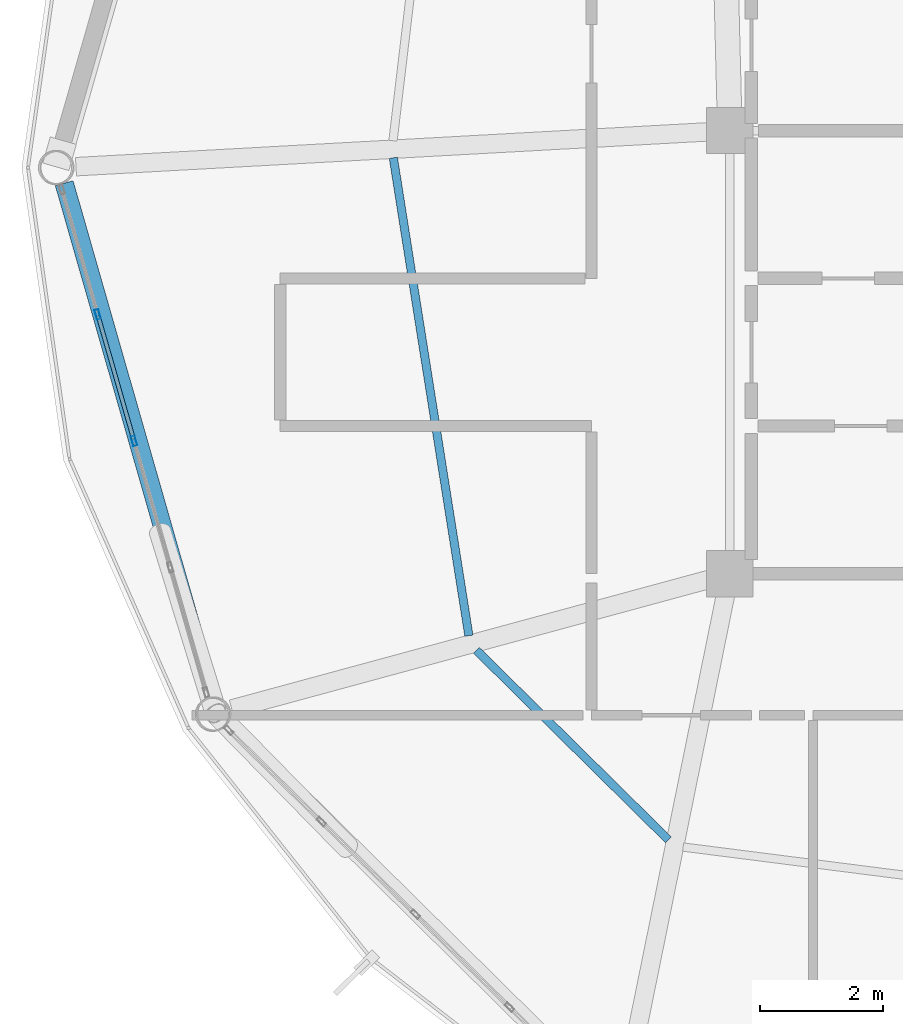
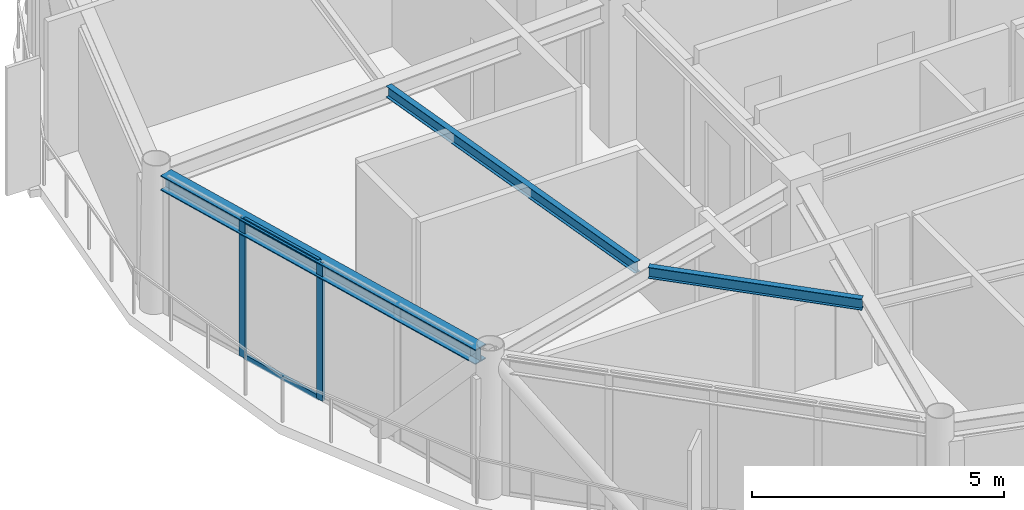
# One storey, part 5 of 26: 4 members, 3 beams, 1 element without a shape of its own.
"""IFC4 building model written with IfcOpenShell, lengths in metres."""

import ifcopenshell
import ifcopenshell.guid

model = None  # the IFC model being written
_history = None  # IfcOwnerHistory: only IFC2X3 demands one
_inside = {}  # id of a spatial element -> (the spatial element, [elements in it])
_under = {}  # id of a project, library or spatial element -> (it, [spatial elements below it])
_declared = {}  # id of a project -> (the project, [libraries it declares])
_typed = {}  # id of a type object -> (the type object, [elements of that type])
_made_of = {}  # id of a material, layer set ... -> (it, [elements and type objects made of it])


def new_model(schema):
    """Start an empty IFC model of exactly this schema.

    Asked for "IFC4X3", IfcOpenShell would pick the latest addendum, in which some entities
    have other attributes; the version numbers below select the first issue.
    IFC2X3 requires an IfcOwnerHistory on every rooted entity: one is made here for all.
    """
    global model, _history
    if schema == "IFC4X3":
        model = ifcopenshell.file(schema_version=(4, 3, 0, 0))
    else:
        model = ifcopenshell.file(schema=schema)
    _inside.clear()
    _under.clear()
    _declared.clear()
    _typed.clear()
    _made_of.clear()
    _history = None
    if model.schema == "IFC2X3":
        org = make("IfcOrganization", Name="unknown")
        user = make(
            "IfcPersonAndOrganization",
            ThePerson=make("IfcPerson", FamilyName="unknown"),
            TheOrganization=org,
        )
        app = make(
            "IfcApplication",
            ApplicationDeveloper=org,
            Version="unknown",
            ApplicationFullName="unknown",
            ApplicationIdentifier="unknown",
        )
        _history = make(
            "IfcOwnerHistory",
            OwningUser=user,
            OwningApplication=app,
            ChangeAction="ADDED",
            CreationDate=0,
        )
    return model


def make(cls, **values):
    """One entity of the class cls with the attributes given. An attribute that is None is left unset."""
    return model.create_entity(
        cls, **{name: value for name, value in values.items() if value is not None}
    )


def rooted(cls, **values):
    """An entity with a GlobalId (a new one), such as an element, a storey or a relation."""
    return make(cls, GlobalId=ifcopenshell.guid.new(), OwnerHistory=_history, **values)


def si_unit(unit_type, name, prefix=None):
    """IfcSIUnit, for example si_unit("LENGTHUNIT", "METRE", prefix="MILLI")."""
    return make("IfcSIUnit", UnitType=unit_type, Prefix=prefix, Name=name)


def assignment(units):
    """IfcUnitAssignment: the units of a project."""
    return None if units is None else make("IfcUnitAssignment", Units=units)


def point(xyz):
    """IfcCartesianPoint."""
    return None if xyz is None else make("IfcCartesianPoint", Coordinates=xyz)


def direction(xyz):
    """IfcDirection."""
    return None if xyz is None else make("IfcDirection", DirectionRatios=xyz)


def frame(location, z_axis=None, x_axis=None):
    """IfcAxis2Placement3D, a coordinate frame: its origin and axes. An axis left out is left unset."""
    return make(
        "IfcAxis2Placement3D",
        Location=point(location),
        Axis=direction(z_axis),
        RefDirection=direction(x_axis),
    )


def frame_2d(location, x_axis=None):
    """IfcAxis2Placement2D, a coordinate frame in the plane: its origin and x axis."""
    return make(
        "IfcAxis2Placement2D", Location=point(location), RefDirection=direction(x_axis)
    )


def origin():
    """The frame at (0, 0, 0) with its axes left unset."""
    return frame((0.0, 0.0, 0.0))


def origin_2d():
    """The frame at (0, 0) in the plane with its x axis left unset."""
    return frame_2d((0.0, 0.0))


def place(relative_to, where):
    """IfcLocalPlacement: puts the frame where relative to a parent placement (None: the world)."""
    return make(
        "IfcLocalPlacement", PlacementRelTo=relative_to, RelativePlacement=where
    )


def context(
    kind, dimensions, precision=None, world=None, true_north=None, identifier=None
):
    """IfcGeometricRepresentationContext, for example the 3D "Model" context."""
    return make(
        "IfcGeometricRepresentationContext",
        ContextIdentifier=identifier,
        ContextType=kind,
        CoordinateSpaceDimension=dimensions,
        Precision=precision,
        WorldCoordinateSystem=world,
        TrueNorth=true_north,
    )


def subcontext(parent, identifier, kind, view, scale=None):
    """IfcGeometricRepresentationSubContext, for example "Body" below "Model"."""
    return make(
        "IfcGeometricRepresentationSubContext",
        ContextIdentifier=identifier,
        ContextType=kind,
        ParentContext=parent,
        TargetScale=scale,
        TargetView=view,
    )


def project(units=None, contexts=None):
    """IfcProject with its units and contexts."""
    return rooted(
        "IfcProject",
        Name="project",
        RepresentationContexts=contexts,
        UnitsInContext=assignment(units),
    )


def spatial(cls, under=None, at=None, **own):
    """A site, building, storey or space (cls), placed at a placement, below another one or the project."""
    s = rooted(cls, ObjectPlacement=at, **own)
    if under is not None:
        _under.setdefault(under.id(), (under, []))[1].append(s)
    return s


def profile(cls, at=None, kind="AREA", **sizes):
    """A parametric profile (cls). Its sizes go by their IFC names, for example OverallWidth=200.0."""
    return make(cls, ProfileType=kind, Position=at, **sizes)


def hollow_rectangle(**sizes):
    """IfcRectangleHollowProfileDef."""
    return profile("IfcRectangleHollowProfileDef", **sizes)


def i_section(**sizes):
    """IfcIShapeProfileDef."""
    return profile("IfcIShapeProfileDef", **sizes)


def extrude(swept, where, along, depth):
    """IfcExtrudedAreaSolid: the profile swept, set in the frame where, extruded along a direction by depth."""
    return make(
        "IfcExtrudedAreaSolid",
        SweptArea=swept,
        Position=where,
        ExtrudedDirection=direction(along),
        Depth=depth,
    )


def shape(context_of_items, identifier, shape_type, items):
    """IfcShapeRepresentation: the items that make up one representation, for example the "Body"."""
    return make(
        "IfcShapeRepresentation",
        ContextOfItems=context_of_items,
        RepresentationIdentifier=identifier,
        RepresentationType=shape_type,
        Items=items,
    )


def material(Name=None, Category=None):
    """IfcMaterial."""
    return make("IfcMaterial", Name=Name, Category=Category)


def layer(
    of_material, thickness, ventilated=None, Name=None, Category=None, Priority=None
):
    """IfcMaterialLayer: one layer of a wall or slab, of a material (None: an air gap)."""
    return make(
        "IfcMaterialLayer",
        Material=of_material,
        LayerThickness=thickness,
        IsVentilated=ventilated,
        Name=Name,
        Category=Category,
        Priority=Priority,
    )


def layer_set(layers, Name=None):
    """IfcMaterialLayerSet."""
    return make("IfcMaterialLayerSet", MaterialLayers=layers, LayerSetName=Name)


def material_profile(
    of_material, cross_section, Name=None, Category=None, Priority=None
):
    """IfcMaterialProfile: a cross section and its material."""
    return make(
        "IfcMaterialProfile",
        Name=Name,
        Material=of_material,
        Profile=cross_section,
        Priority=Priority,
        Category=Category,
    )


def profile_set(profiles, Name=None, composite=None):
    """IfcMaterialProfileSet."""
    return make(
        "IfcMaterialProfileSet",
        Name=Name,
        MaterialProfiles=profiles,
        CompositeProfile=composite,
    )


def made_of(thing, what):
    """Note that an element or type object is made of a material, layer set ...; save() writes the relation."""
    if what is not None:
        _made_of.setdefault(what.id(), (what, []))[1].append(thing)
    return thing


def type_object(cls, material=None, **own):
    """A type object (cls), such as IfcWallType, which elements share."""
    return made_of(rooted(cls, **own), material)


def element(
    cls,
    number,
    at=None,
    inside=None,
    cuts=None,
    type_object=None,
    material=None,
    context=None,
    identifier="Body",
    shape_type=None,
    held_by="IfcProductDefinitionShape",
    body=None,
    shapes=None,
    **own,
):
    """One element of the class cls, such as IfcWall. Its Tag is "e" and its number.

    at: its placement. inside: the storey or other place that contains it. cuts: it is an
    opening in that element (IfcRelVoidsElement). A single representation is given by context,
    identifier, shape_type and body (its items); several are given by shapes. held_by: the class
    of the entity that holds the representations. save() writes the other relations.
    """
    e = rooted(cls, Tag="e%d" % number, ObjectPlacement=at, **own)
    if body is not None:
        shapes = [shape(context, identifier, shape_type, body)]
    if shapes is not None:
        e.Representation = make(held_by, Representations=shapes)
    if inside is not None:
        _inside.setdefault(inside.id(), (inside, []))[1].append(e)
    if cuts is not None:
        rooted(
            "IfcRelVoidsElement", RelatingBuildingElement=cuts, RelatedOpeningElement=e
        )
    if type_object is not None:
        _typed.setdefault(type_object.id(), (type_object, []))[1].append(e)
    return made_of(e, material)


def aggregate(whole, parts):
    """IfcRelAggregates: a whole, such as a stair, and the parts it consists of."""
    return rooted("IfcRelAggregates", RelatingObject=whole, RelatedObjects=parts)


def save(model, path):
    """Write the relations noted so far, then the file.

    IfcRelAggregates (storeys below a building ...), IfcRelContainedInSpatialStructure (elements
    in a storey), IfcRelDefinesByType, IfcRelAssociatesMaterial and IfcRelDeclares: one each for
    every whole, place, type object, material and project.
    """
    for whole, parts in _under.values():
        aggregate(whole, parts)
    for where, things in _inside.values():
        rooted(
            "IfcRelContainedInSpatialStructure",
            RelatedElements=things,
            RelatingStructure=where,
        )
    for kind, things in _typed.values():
        rooted("IfcRelDefinesByType", RelatedObjects=things, RelatingType=kind)
    for what, things in _made_of.values():
        rooted("IfcRelAssociatesMaterial", RelatedObjects=things, RelatingMaterial=what)
    for by, libraries in _declared.values():
        rooted("IfcRelDeclares", RelatingContext=by, RelatedDefinitions=libraries)
    model.write(path)


model = new_model("IFC4")

# Units and contexts
model_context = context("Model", 3, precision=1e-05, world=origin(), true_north=direction((0.0, 1.0)))
body_context = subcontext(model_context, "Body", "Model", "MODEL_VIEW")
ifc_project = project(units=[si_unit("LENGTHUNIT", "METRE"), si_unit("AREAUNIT", "SQUARE_METRE"), si_unit("VOLUMEUNIT", "CUBIC_METRE"), si_unit("PLANEANGLEUNIT", "RADIAN"), si_unit("MASSUNIT", "GRAM", prefix="KILO")], contexts=[model_context])

# Site, building, storey
site_placement = place(None, origin())
site = spatial("IfcSite", under=ifc_project, at=site_placement, CompositionType="ELEMENT")
building_placement = place(site_placement, origin())
building = spatial("IfcBuilding", under=site, at=building_placement, Name="Varnakorn Sky Granary", CompositionType="ELEMENT")
storey_placement = place(building_placement, frame((0.0, 0.0, 267.0)))
storey = spatial("IfcBuildingStorey", under=building, at=storey_placement, Name="L68", CompositionType="ELEMENT", Elevation=267.0)

# Beams
ifc_material_1 = material(Name="Steel S355JR", Category="steel")
ifc_material_profile_1 = material_profile(ifc_material_1, i_section(OverallWidth=0.135009765625, OverallDepth=0.27001953125, WebThickness=0.006591796875, FlangeThickness=0.01025390625, at=origin_2d()), Name="IPE 270")
ifc_profile_set_1 = profile_set([ifc_material_profile_1], Name="Steel S355JR")
beam_type_1 = type_object("IfcBeamType", Name="BM-SEC-Z5", PredefinedType="BEAM", material=ifc_profile_set_1)
beam_1_placement = place(storey_placement, frame((-7.81787109375, 0.1591796875, 3.22509765625), z_axis=(0.15618100992, -0.987728450608, 0.0), x_axis=(0.987728450608, 0.15618100992, 0.0)))
element("IfcBeam", 1, at=beam_1_placement, inside=storey, type_object=beam_type_1, Name="Secondary Floor Chord Beam MSB07 L68", PredefinedType="BEAM", context=body_context, shape_type="SweptSolid", body=[
    extrude(i_section(OverallWidth=0.135009765625, OverallDepth=0.27001953125, WebThickness=0.006591796875, FlangeThickness=0.01025390625, at=origin_2d()), origin(), (0.0, 0.0, 1.0), 7.86279296875),
])
beam_2_placement = place(storey_placement, frame((-6.46826171875, -7.84375, 3.22509765625), z_axis=(0.711628973356, -0.702555481283, 0.0), x_axis=(0.702555481283, 0.711628973356, 0.0)))
element("IfcBeam", 2, at=beam_2_placement, inside=storey, type_object=beam_type_1, Name="Secondary Floor Chord Beam MSB08 L68", PredefinedType="BEAM", context=body_context, shape_type="SweptSolid", body=[
    extrude(i_section(OverallWidth=0.135009765625, OverallDepth=0.27001953125, WebThickness=0.006591796875, FlangeThickness=0.01025390625, at=origin_2d()), origin(), (0.0, 0.0, 1.0), 4.3857421875),
])
ifc_material_profile_2 = material_profile(ifc_material_1, i_section(OverallWidth=0.300048828125, OverallDepth=0.360107421875, WebThickness=0.012451171875, FlangeThickness=0.0224609375, at=origin_2d()), Name="HE 360 B")
ifc_profile_set_2 = profile_set([ifc_material_profile_2], Name="Steel S355JR")
beam_type_2 = type_object("IfcBeamType", Name="BM-SPD-Z5", PredefinedType="SPANDREL", material=ifc_profile_set_2)
beam_3_placement = place(storey_placement, frame((-13.166259765625, -0.25439453125, 3.179931640625), z_axis=(0.275429392242, -0.96132130419, 0.0), x_axis=(0.96132130419, 0.275429392242, 0.0)))
element("IfcBeam", 3, at=beam_3_placement, inside=storey, type_object=beam_type_2, Name="Perimeter Spandrel Ring Beam RB07 L68", PredefinedType="SPANDREL", context=body_context, shape_type="SweptSolid", body=[
    extrude(i_section(OverallWidth=0.300048828125, OverallDepth=0.360107421875, WebThickness=0.012451171875, FlangeThickness=0.0224609375, at=origin_2d()), origin(), (0.0, 0.0, 1.0), 8.694580078125),
])

# Curtain wall, members
ifc_material_2 = material(Name="Anodised Bronze Aluminium Alloy 6063-T6", Category="aluminium")
ifc_layer = layer(ifc_material_2, 0.159912109375, Name="Anodised Bronze Aluminium Alloy 6063-T6")
ifc_layer_set = layer_set([ifc_layer], Name="Anodised Bronze Aluminium Alloy 6063-T6")
curtain_wall_type = type_object("IfcCurtainWallType", Name="CW-OFF-1", PredefinedType="USERDEFINED", material=ifc_layer_set)
curtain_wall_placement = place(storey_placement, origin())
curtain_wall = element("IfcCurtainWall", 4, at=curtain_wall_placement, inside=storey, type_object=curtain_wall_type, Name="Unitised Curtain Wall CW6 CW-L68-B07", ObjectType="CURTAIN WALL", PredefinedType="USERDEFINED")
ifc_material_profile_3 = material_profile(ifc_material_2, hollow_rectangle(XDim=0.06494140625, YDim=0.159912109375, WallThickness=0.00341796875, at=origin_2d()), Name="ALU MULL 65x160")
ifc_profile_set_3 = profile_set([ifc_material_profile_3], Name="Anodised Bronze Aluminium Alloy 6063-T6")
member_type_1 = type_object("IfcMemberType", Name="CW-OFF-1-MULL", PredefinedType="MULLION", material=ifc_profile_set_3)
member_1_placement = place(storey_placement, frame((-12.03125, -4.44189453125, 0.0), z_axis=(0.0, 0.0, 1.0), x_axis=(-0.961203382368, -0.275840638274, 0.0)))
member_1 = element("IfcMember", 5, at=member_1_placement, type_object=member_type_1, Name="CW6 mullion 3", PredefinedType="MULLION", context=body_context, shape_type="SweptSolid", body=[
    extrude(hollow_rectangle(XDim=0.06494140625, YDim=0.159912109375, WallThickness=0.00341796875, at=origin_2d()), origin(), (0.0, 0.0, 1.0), 3.360107421875),
])
member_2_placement = place(storey_placement, frame((-12.621826171875, -2.384033203125, 0.0), z_axis=(0.0, 0.0, 1.0), x_axis=(-0.961203382368, -0.275840638274, 0.0)))
member_2 = element("IfcMember", 6, at=member_2_placement, type_object=member_type_1, Name="CW6 mullion 4", PredefinedType="MULLION", context=body_context, shape_type="SweptSolid", body=[
    extrude(hollow_rectangle(XDim=0.06494140625, YDim=0.159912109375, WallThickness=0.00341796875, at=origin_2d()), origin(), (0.0, 0.0, 1.0), 3.360107421875),
])
ifc_material_profile_4 = material_profile(ifc_material_2, hollow_rectangle(XDim=0.06494140625, YDim=0.1201171875, WallThickness=0.00341796875, at=origin_2d()), Name="ALU TRAN 65x120")
ifc_profile_set_4 = profile_set([ifc_material_profile_4], Name="Anodised Bronze Aluminium Alloy 6063-T6")
member_type_2 = type_object("IfcMemberType", Name="CW-OFF-1-TRAN", PredefinedType="USERDEFINED", material=ifc_profile_set_4)
member_3_placement = place(storey_placement, frame((-12.040283203125, -4.41064453125, 0.032470703125), z_axis=(-0.275792751075, 0.961217123471, 0.0), x_axis=(-0.961217123471, -0.275792751075, 0.0)))
member_3 = element("IfcMember", 7, at=member_3_placement, type_object=member_type_2, Name="CW6 transom 3.1", ObjectType="TRANSOM", PredefinedType="USERDEFINED", context=body_context, shape_type="SweptSolid", body=[
    extrude(hollow_rectangle(XDim=0.06494140625, YDim=0.1201171875, WallThickness=0.00341796875, at=origin_2d()), origin(), (0.0, 0.0, 1.0), 2.075927734375),
])
member_4_placement = place(storey_placement, frame((-12.040283203125, -4.41064453125, 3.327392578125), z_axis=(-0.275792751075, 0.961217123471, 0.0), x_axis=(-0.961217123471, -0.275792751075, 0.0)))
member_4 = element("IfcMember", 8, at=member_4_placement, type_object=member_type_2, Name="CW6 transom 3.2", ObjectType="TRANSOM", PredefinedType="USERDEFINED", context=body_context, shape_type="SweptSolid", body=[
    extrude(hollow_rectangle(XDim=0.06494140625, YDim=0.1201171875, WallThickness=0.00341796875, at=origin_2d()), origin(), (0.0, 0.0, 1.0), 2.075927734375),
])
aggregate(curtain_wall, [member_1, member_2, member_3, member_4])

save(model, "model.ifc")
